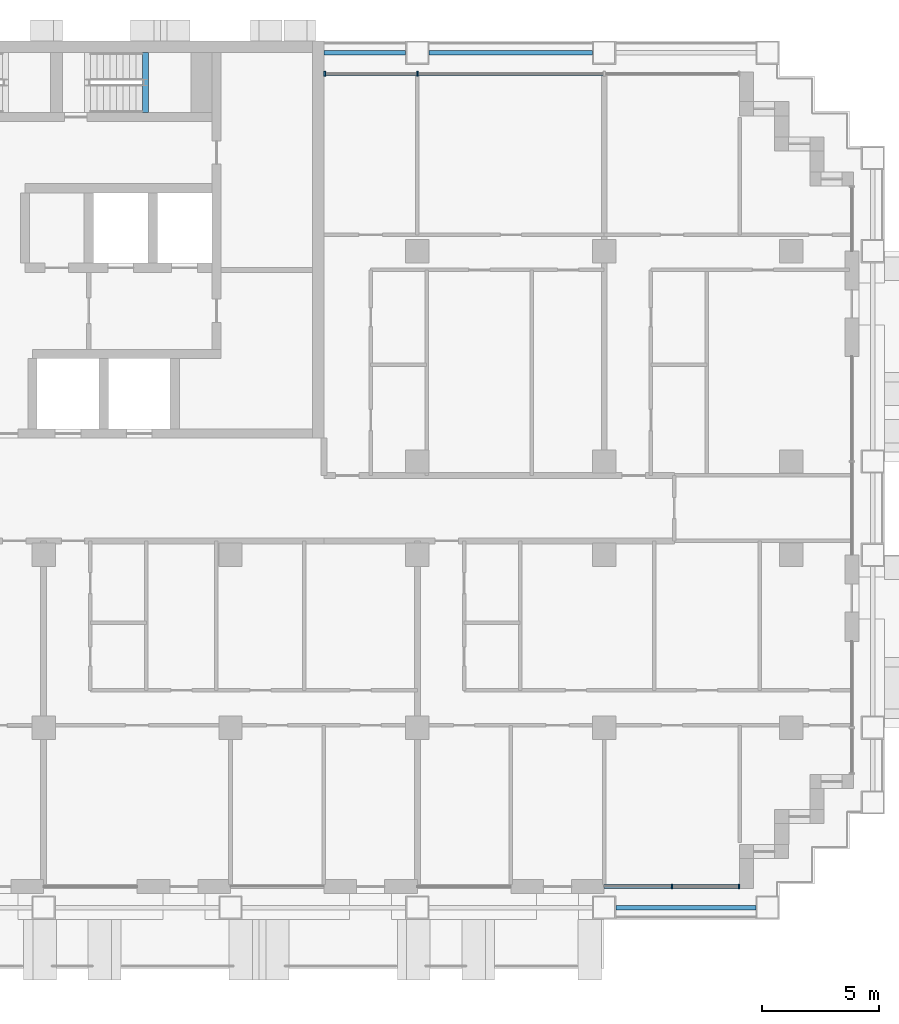
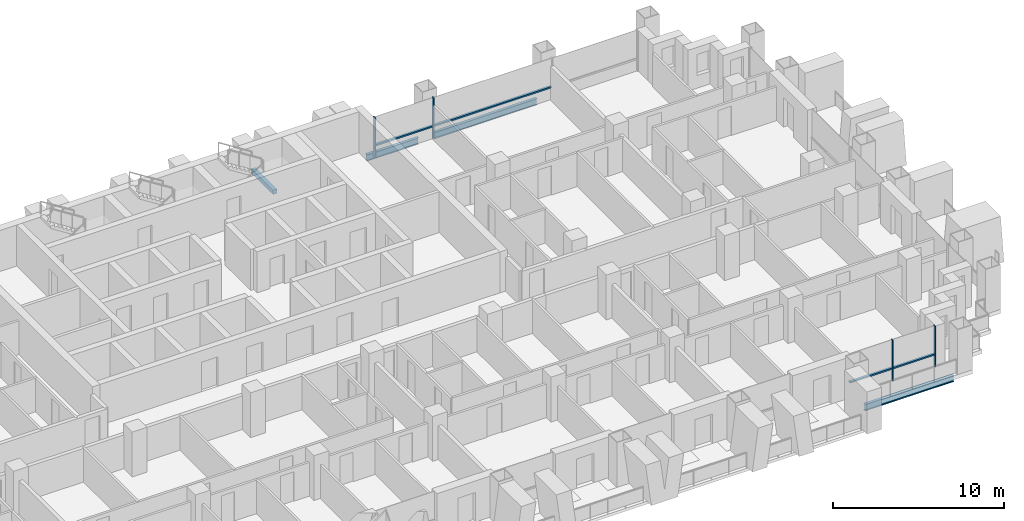
# One storey, part 5 of 18: 8 members, 4 beams, 2 elements without a shape of their own.
"""IFC4 building model written with IfcOpenShell, lengths in metres."""

from ifc_helpers import new_model, si_unit, direction, frame, origin, origin_2d, place, context, subcontext, project, spatial, rectangle, i_section, extrude, material, material_profile, profile_set, type_object, element, aggregate, save


model = new_model("IFC4")

# Units and contexts
model_context = context("Model", 3, precision=1e-05, world=origin(), true_north=direction((0.0, 1.0)))
body_context = subcontext(model_context, "Body", "Model", "MODEL_VIEW")
ifc_project = project(units=[si_unit("LENGTHUNIT", "METRE"), si_unit("AREAUNIT", "SQUARE_METRE"), si_unit("VOLUMEUNIT", "CUBIC_METRE"), si_unit("PLANEANGLEUNIT", "RADIAN"), si_unit("MASSUNIT", "GRAM", prefix="KILO")], contexts=[model_context])

# Site, building, storey
site_placement = place(None, origin())
site = spatial("IfcSite", under=ifc_project, at=site_placement, CompositionType="ELEMENT")
building_placement = place(site_placement, origin())
building = spatial("IfcBuilding", under=site, at=building_placement, Name="Vidyagriha Tower", CompositionType="ELEMENT")
storey_placement = place(building_placement, frame((0.0, 0.0, 44.800048828125)))
storey = spatial("IfcBuildingStorey", under=building, at=storey_placement, Name="L11", CompositionType="ELEMENT", Elevation=44.800048828125)

# Beams
ifc_material_1 = material(Name="Steel ASTM A992 Grade 50", Category="steel")
ifc_material_profile_1 = material_profile(ifc_material_1, i_section(OverallWidth=0.19189453125, OverallDepth=0.46240234375, WebThickness=0.010498046875, FlangeThickness=0.017578125, at=origin_2d()), Name="W18X60")
ifc_profile_set_1 = profile_set([ifc_material_profile_1], Name="Steel ASTM A992 Grade 50")
beam_type_1 = type_object("IfcBeamType", Name="Edge beam W18X60", PredefinedType="SPANDREL", material=ifc_profile_set_1)
beam_1_placement = place(storey_placement, frame((26.5, -17.10009765625, -0.51123046875), z_axis=(1.0, 0.0, 0.0), x_axis=(0.0, 1.0, 0.0)))
element("IfcBeam", 1, at=beam_1_placement, inside=storey, type_object=beam_type_1, Name="st-beam-L11-S09", PredefinedType="SPANDREL", context=body_context, shape_type="SweptSolid", body=[
    extrude(i_section(OverallWidth=0.19189453125, OverallDepth=0.46240234375, WebThickness=0.010498046875, FlangeThickness=0.017578125, at=origin_2d()), origin(), (0.0, 0.0, 1.0), 6.0),
])
beam_2_placement = place(storey_placement, frame((18.5, 19.5, -0.51123046875), z_axis=(1.0, 0.0, 0.0), x_axis=(0.0, 1.0, 0.0)))
element("IfcBeam", 2, at=beam_2_placement, inside=storey, type_object=beam_type_1, Name="st-beam-L11-NE22", PredefinedType="SPANDREL", context=body_context, shape_type="SweptSolid", body=[
    extrude(i_section(OverallWidth=0.19189453125, OverallDepth=0.46240234375, WebThickness=0.010498046875, FlangeThickness=0.017578125, at=origin_2d()), origin(), (0.0, 0.0, 1.0), 7.0),
])
beam_3_placement = place(storey_placement, frame((14.0, 19.5, -0.51123046875), z_axis=(1.0, 0.0, 0.0), x_axis=(0.0, 1.0, 0.0)))
element("IfcBeam", 3, at=beam_3_placement, inside=storey, type_object=beam_type_1, Name="st-beam-L11-NC25", PredefinedType="SPANDREL", context=body_context, shape_type="SweptSolid", body=[
    extrude(i_section(OverallWidth=0.19189453125, OverallDepth=0.46240234375, WebThickness=0.010498046875, FlangeThickness=0.017578125, at=origin_2d()), origin(), (0.0, 0.0, 1.0), 3.5),
])

# Curtain wall, members
ifc_material_2 = material(Name="Aluminium and glass curtain wall", Category="aluminium")
curtain_wall_type = type_object("IfcCurtainWallType", Name="Dwelling skin unitised curtain wall", PredefinedType="USERDEFINED", material=ifc_material_2)
curtain_wall_1_placement = place(storey_placement, origin())
curtain_wall_1 = element("IfcCurtainWall", 4, at=curtain_wall_1_placement, inside=storey, type_object=curtain_wall_type, Name="CW1 dwelling skin", ObjectType="UNITISED", PredefinedType="USERDEFINED")
ifc_material_3 = material(Name="Aluminium black anodised", Category="aluminium")
ifc_material_profile_2 = material_profile(ifc_material_3, rectangle(XDim=0.199951171875, YDim=0.070068359375, at=origin_2d()), Name="Mullion 70x200 black aluminium")
ifc_profile_set_2 = profile_set([ifc_material_profile_2], Name="Aluminium black anodised")
member_type_1 = type_object("IfcMemberType", Name="Mullion 70x200 black aluminium", PredefinedType="MULLION", material=ifc_profile_set_2)
member_1_placement = place(storey_placement, frame((18.0, 18.60009765625, 0.0), z_axis=(0.0, 0.0, 1.0), x_axis=(0.0, -1.0, 0.0)))
member_1 = element("IfcMember", 5, at=member_1_placement, type_object=member_type_1, Name="CW1 mullion 3", PredefinedType="MULLION", context=body_context, shape_type="SweptSolid", body=[
    extrude(rectangle(XDim=0.199951171875, YDim=0.070068359375, at=origin_2d()), origin(), (0.0, 0.0, 1.0), 2.919921875),
])
member_2_placement = place(storey_placement, frame((14.034912109375, 18.60009765625, 0.0), z_axis=(0.0, 0.0, 1.0), x_axis=(0.0, -1.0, 0.0)))
member_2 = element("IfcMember", 6, at=member_2_placement, type_object=member_type_1, Name="CW1 mullion 4", PredefinedType="MULLION", context=body_context, shape_type="SweptSolid", body=[
    extrude(rectangle(XDim=0.199951171875, YDim=0.070068359375, at=origin_2d()), origin(), (0.0, 0.0, 1.0), 2.919921875),
])

curtain_wall_2_placement = place(storey_placement, origin())
curtain_wall_2 = element("IfcCurtainWall", 7, at=curtain_wall_2_placement, inside=storey, type_object=curtain_wall_type, Name="CW1 dwelling skin", ObjectType="UNITISED", PredefinedType="USERDEFINED")
member_3_placement = place(storey_placement, frame((28.89990234375, -16.199951171875, 0.0), z_axis=(0.0, 0.0, 1.0), x_axis=(0.0, 1.0, 0.0)))
member_3 = element("IfcMember", 8, at=member_3_placement, type_object=member_type_1, Name="CW1 mullion 2", PredefinedType="MULLION", context=body_context, shape_type="SweptSolid", body=[
    extrude(rectangle(XDim=0.199951171875, YDim=0.070068359375, at=origin_2d()), origin(), (0.0, 0.0, 1.0), 2.919921875),
])
member_4_placement = place(storey_placement, frame((31.764892578125, -16.199951171875, 0.0), z_axis=(0.0, 0.0, 1.0), x_axis=(0.0, 1.0, 0.0)))
member_4 = element("IfcMember", 9, at=member_4_placement, type_object=member_type_1, Name="CW1 mullion 3", PredefinedType="MULLION", context=body_context, shape_type="SweptSolid", body=[
    extrude(rectangle(XDim=0.199951171875, YDim=0.070068359375, at=origin_2d()), origin(), (0.0, 0.0, 1.0), 2.919921875),
])

# Beam
ifc_material_4 = material(Name="Concrete C40/50", Category="concrete")
ifc_material_profile_3 = material_profile(ifc_material_4, rectangle(XDim=0.25, YDim=0.300048828125, at=origin_2d()), Name="Stair landing bearing beam 250x300")
ifc_profile_set_3 = profile_set([ifc_material_profile_3], Name="Concrete C40/50")
beam_type_2 = type_object("IfcBeamType", Name="Stair landing bearing beam 250x300", PredefinedType="BEAM", material=ifc_profile_set_3)
beam_4_placement = place(storey_placement, frame((6.364990234375, 16.949951171875, 1.25), z_axis=(0.0, 1.0, 0.0), x_axis=(-1.0, 0.0, 0.0)))
element("IfcBeam", 10, at=beam_4_placement, inside=storey, type_object=beam_type_2, Name="ST3 landing bearing beam L11", PredefinedType="BEAM", context=body_context, shape_type="SweptSolid", body=[
    extrude(rectangle(XDim=0.25, YDim=0.300048828125, at=origin_2d()), origin(), (0.0, 0.0, 1.0), 2.550048828125),
])

# Member
ifc_material_5 = material(Name="Aluminium black anodised", Category="aluminium")
ifc_material_profile_4 = material_profile(ifc_material_5, rectangle(XDim=0.159912109375, YDim=0.10009765625, at=origin_2d()), Name="Transom 100x160 black aluminium")
ifc_profile_set_4 = profile_set([ifc_material_profile_4], Name="Aluminium black anodised")
member_type_2 = type_object("IfcMemberType", Name="Transom 100x160 black aluminium", PredefinedType="USERDEFINED", material=ifc_profile_set_4)
member_5_placement = place(storey_placement, frame((25.965087890625, 18.60009765625, 0.89990234375), z_axis=(-1.0, 0.0, 0.0), x_axis=(0.0, -1.0, 0.0)))
member_5 = element("IfcMember", 11, at=member_5_placement, type_object=member_type_2, Name="CW1 transom 2.1", ObjectType="TRANSOM", PredefinedType="USERDEFINED", context=body_context, shape_type="SweptSolid", body=[
    extrude(rectangle(XDim=0.159912109375, YDim=0.10009765625, at=origin_2d()), origin(), (0.0, 0.0, 1.0), 7.93017578125),
])

member_6_placement = place(storey_placement, frame((17.965087890625, 18.60009765625, 0.89990234375), z_axis=(-1.0, 0.0, 0.0), x_axis=(0.0, -1.0, 0.0)))
member_6 = element("IfcMember", 12, at=member_6_placement, type_object=member_type_2, Name="CW1 transom 3.1", ObjectType="TRANSOM", PredefinedType="USERDEFINED", context=body_context, shape_type="SweptSolid", body=[
    extrude(rectangle(XDim=0.159912109375, YDim=0.10009765625, at=origin_2d()), origin(), (0.0, 0.0, 1.0), 3.89501953125),
])

aggregate(curtain_wall_1, [member_1, member_2, member_5, member_6])

member_7_placement = place(storey_placement, frame((26.0, -16.199951171875, 0.89990234375), z_axis=(1.0, 0.0, 0.0), x_axis=(0.0, 1.0, 0.0)))
member_7 = element("IfcMember", 13, at=member_7_placement, type_object=member_type_2, Name="CW1 transom 1.1", ObjectType="TRANSOM", PredefinedType="USERDEFINED", context=body_context, shape_type="SweptSolid", body=[
    extrude(rectangle(XDim=0.159912109375, YDim=0.10009765625, at=origin_2d()), origin(), (0.0, 0.0, 1.0), 2.864990234375),
])

member_8_placement = place(storey_placement, frame((28.93505859375, -16.199951171875, 0.89990234375), z_axis=(1.0, 0.0, 0.0), x_axis=(0.0, 1.0, 0.0)))
member_8 = element("IfcMember", 14, at=member_8_placement, type_object=member_type_2, Name="CW1 transom 2.1", ObjectType="TRANSOM", PredefinedType="USERDEFINED", context=body_context, shape_type="SweptSolid", body=[
    extrude(rectangle(XDim=0.159912109375, YDim=0.10009765625, at=origin_2d()), origin(), (0.0, 0.0, 1.0), 2.794921875),
])

aggregate(curtain_wall_2, [member_3, member_4, member_7, member_8])

save(model, "model.ifc")
